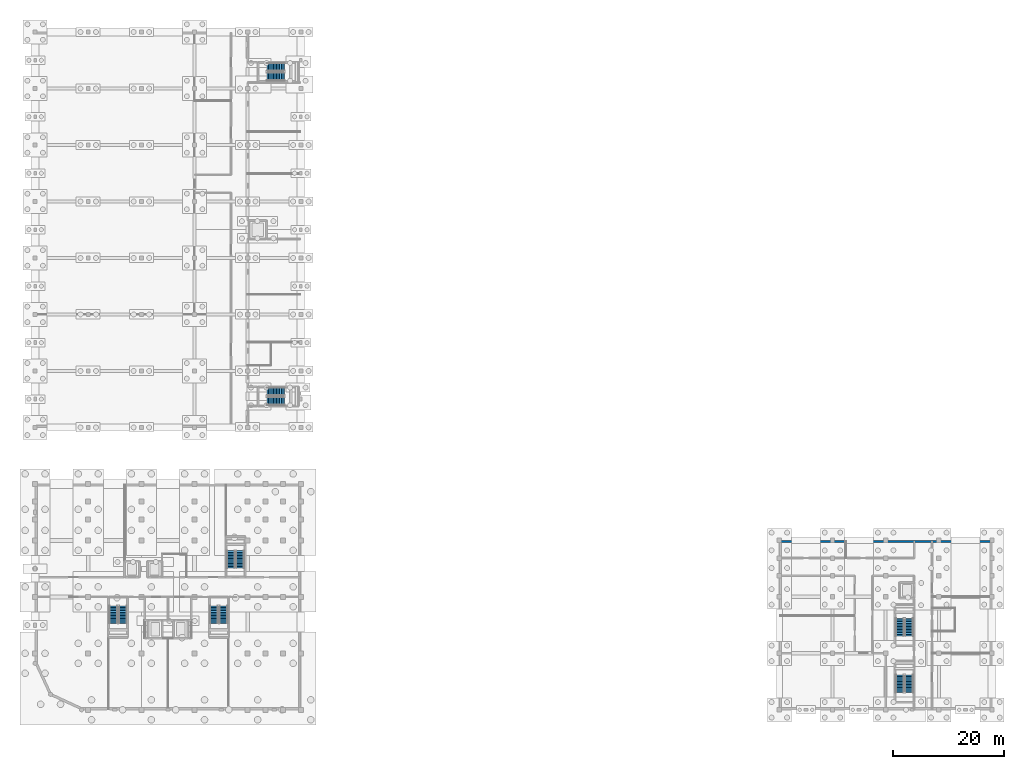
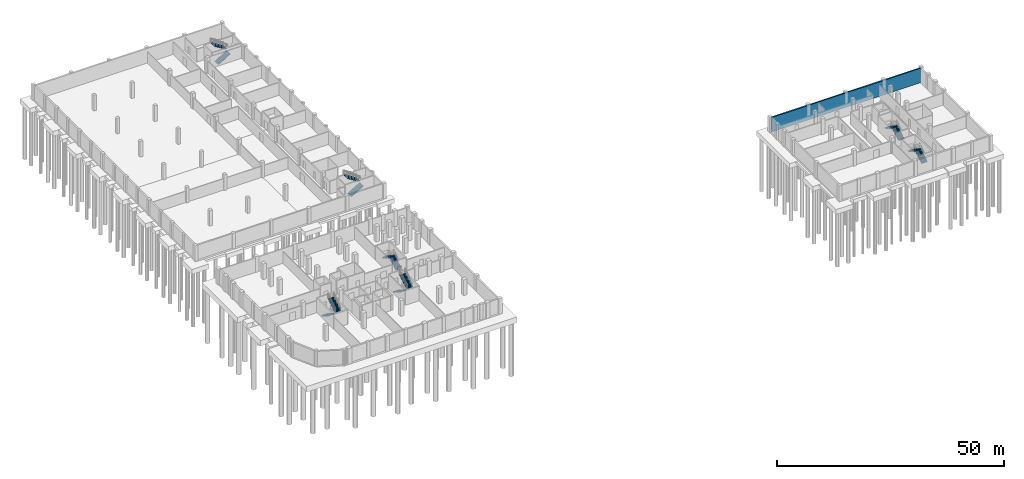
# One storey, part 13 of 18: 14 stair flights, 1 wall, 7 elements without a shape of their own.
"""IFC4 building model written with IfcOpenShell, lengths in metres."""

from ifc_helpers import new_model, si_unit, direction, frame, frame_2d, origin, place, context, subcontext, project, spatial, polyline, rectangle, outline, extrude, material, layer, layer_set, type_object, element, aggregate, save


model = new_model("IFC4")

# Units and contexts
model_context = context("Model", 3, precision=1e-05, world=origin(), true_north=direction((0.0, 1.0)))
body_context = subcontext(model_context, "Body", "Model", "MODEL_VIEW")
ifc_project = project(units=[si_unit("LENGTHUNIT", "METRE"), si_unit("AREAUNIT", "SQUARE_METRE"), si_unit("VOLUMEUNIT", "CUBIC_METRE"), si_unit("PLANEANGLEUNIT", "RADIAN"), si_unit("MASSUNIT", "GRAM", prefix="KILO")], contexts=[model_context])

# Site, building, storey
site_placement = place(None, origin())
site = spatial("IfcSite", under=ifc_project, at=site_placement, CompositionType="ELEMENT")
building_placement = place(site_placement, origin())
building = spatial("IfcBuilding", under=site, at=building_placement, Name="Vondelvale Polytechnic", CompositionType="ELEMENT")
storey_placement = place(building_placement, frame((0.0, 0.0, -4.199951171875)))
storey = spatial("IfcBuildingStorey", under=building, at=storey_placement, Name="B1", CompositionType="ELEMENT", Elevation=-4.199951171875)

# Wall
ifc_material = material(Name="Concrete N40 (f'c = 40 MPa)", Category="concrete")
ifc_layer = layer(ifc_material, 0.35009765625)
ifc_layer_set = layer_set([ifc_layer], Name="WL-RET-350")
wall_type = type_object("IfcWallType", Name="WL-RET-350", PredefinedType="USERDEFINED", material=ifc_layer_set)
wall_placement = place(storey_placement, frame((134.60009765625, 30.39990234375, 0.0), z_axis=(0.0, 0.0, 1.0), x_axis=(1.0, 0.0, 0.0)))
element("IfcWall", 1, at=wall_placement, inside=storey, type_object=wall_type, Name="Basement retaining wall V3-N", ObjectType="RETAININGWALL", PredefinedType="USERDEFINED", context=body_context, shape_type="SweptSolid", body=[
    extrude(rectangle(XDim=38.0, YDim=0.35009765625, at=frame_2d((19.0, 0.0))), origin(), (0.0, 0.0, 1.0), 3.89990234375),
])

# Stair, stair flights
stair_type = type_object("IfcStairType", Name="STR-DOG-1500", PredefinedType="HALF_TURN_STAIR", material=ifc_material)
stair_1_placement = place(storey_placement, origin())
stair_1 = element("IfcStair", 2, at=stair_1_placement, inside=storey, type_object=stair_type, Name="B1 ST-01", PredefinedType="HALF_TURN_STAIR")
stair_flight_type = type_object("IfcStairFlightType", Name="STF-DOG-1500", PredefinedType="STRAIGHT", material=ifc_material)
stair_flight_1_placement = place(storey_placement, frame((41.89990234375, 55.75, 0.0), z_axis=(0.0, 0.0, 1.0), x_axis=(1.0, 0.0, 0.0)))
stair_flight_1 = element("IfcStairFlight", 3, at=stair_flight_1_placement, type_object=stair_flight_type, Name="ST-01 flight 1", NumberOfRisers=12, NumberOfTreads=11, PredefinedType="STRAIGHT", RiserHeight=0.175, TreadLength=0.285, context=body_context, shape_type="SweptSolid", body=[
    extrude(outline(polyline([(0.0, 0.0), (0.0, 0.175048828125), (0.284912109375, 0.175048828125), (0.284912109375, 0.35009765625), (0.570068359375, 0.35009765625), (0.570068359375, 0.52490234375), (0.85498046875, 0.52490234375), (0.85498046875, 0.699951171875), (1.139892578125, 0.699951171875), (1.139892578125, 0.875), (1.425048828125, 0.875), (1.425048828125, 1.050048828125), (1.7099609375, 1.050048828125), (1.7099609375, 1.22509765625), (1.9951171875, 1.22509765625), (1.9951171875, 1.39990234375), (2.280029296875, 1.39990234375), (2.280029296875, 1.574951171875), (2.56494140625, 1.574951171875), (2.56494140625, 1.75), (2.85009765625, 1.75), (2.85009765625, 1.925048828125), (3.135009765625, 1.925048828125), (3.135009765625, 2.10009765625), (3.135009765625, 1.7373046875), (0.3056640625, 0.0), (0.0, 0.0)])), frame((0.0, 0.75, 0.0), z_axis=(0.0, -1.0, 0.0), x_axis=(1.0, 0.0, 0.0)), (0.0, 0.0, 1.0), 1.5),
])
stair_flight_2_placement = place(storey_placement, frame((45.034912109375, 57.449951171875, 2.099853515625), z_axis=(0.0, 0.0, 1.0), x_axis=(-1.0, 0.0, 0.0)))
stair_flight_2 = element("IfcStairFlight", 4, at=stair_flight_2_placement, type_object=stair_flight_type, Name="ST-01 flight 2", NumberOfRisers=12, NumberOfTreads=11, PredefinedType="STRAIGHT", RiserHeight=0.175, TreadLength=0.285, context=body_context, shape_type="SweptSolid", body=[
    extrude(outline(polyline([(0.0, 0.0), (0.0, 0.175048828125), (0.284912109375, 0.175048828125), (0.284912109375, 0.35009765625), (0.570068359375, 0.35009765625), (0.570068359375, 0.52490234375), (0.85498046875, 0.52490234375), (0.85498046875, 0.699951171875), (1.139892578125, 0.699951171875), (1.139892578125, 0.875), (1.425048828125, 0.875), (1.425048828125, 1.050048828125), (1.7099609375, 1.050048828125), (1.7099609375, 1.22509765625), (1.9951171875, 1.22509765625), (1.9951171875, 1.39990234375), (2.280029296875, 1.39990234375), (2.280029296875, 1.574951171875), (2.56494140625, 1.574951171875), (2.56494140625, 1.75), (2.85009765625, 1.75), (2.85009765625, 1.925048828125), (3.135009765625, 1.925048828125), (3.135009765625, 2.10009765625), (3.135009765625, 1.7373046875), (0.3056640625, 0.0), (0.0, 0.0)])), frame((0.0, 0.75, 0.0), z_axis=(0.0, -1.0, 0.0), x_axis=(1.0, 0.0, 0.0)), (0.0, 0.0, 1.0), 1.5),
])
aggregate(stair_1, [stair_flight_1, stair_flight_2])

stair_2_placement = place(storey_placement, origin())
stair_2 = element("IfcStair", 5, at=stair_2_placement, inside=storey, type_object=stair_type, Name="B1 ST-02", PredefinedType="HALF_TURN_STAIR")
stair_flight_3_placement = place(storey_placement, frame((41.89990234375, 114.35009765625, 0.0), z_axis=(0.0, 0.0, 1.0), x_axis=(1.0, 0.0, 0.0)))
stair_flight_3 = element("IfcStairFlight", 6, at=stair_flight_3_placement, type_object=stair_flight_type, Name="ST-02 flight 1", NumberOfRisers=12, NumberOfTreads=11, PredefinedType="STRAIGHT", RiserHeight=0.175, TreadLength=0.285, context=body_context, shape_type="SweptSolid", body=[
    extrude(outline(polyline([(0.0, 0.0), (0.0, 0.175048828125), (0.284912109375, 0.175048828125), (0.284912109375, 0.35009765625), (0.570068359375, 0.35009765625), (0.570068359375, 0.52490234375), (0.85498046875, 0.52490234375), (0.85498046875, 0.699951171875), (1.139892578125, 0.699951171875), (1.139892578125, 0.875), (1.425048828125, 0.875), (1.425048828125, 1.050048828125), (1.7099609375, 1.050048828125), (1.7099609375, 1.22509765625), (1.9951171875, 1.22509765625), (1.9951171875, 1.39990234375), (2.280029296875, 1.39990234375), (2.280029296875, 1.574951171875), (2.56494140625, 1.574951171875), (2.56494140625, 1.75), (2.85009765625, 1.75), (2.85009765625, 1.925048828125), (3.135009765625, 1.925048828125), (3.135009765625, 2.10009765625), (3.135009765625, 1.7373046875), (0.3056640625, 0.0), (0.0, 0.0)])), frame((0.0, 0.75, 0.0), z_axis=(0.0, -1.0, 0.0), x_axis=(1.0, 0.0, 0.0)), (0.0, 0.0, 1.0), 1.5),
])
stair_flight_4_placement = place(storey_placement, frame((45.034912109375, 116.050048828125, 2.099853515625), z_axis=(0.0, 0.0, 1.0), x_axis=(-1.0, 0.0, 0.0)))
stair_flight_4 = element("IfcStairFlight", 7, at=stair_flight_4_placement, type_object=stair_flight_type, Name="ST-02 flight 2", NumberOfRisers=12, NumberOfTreads=11, PredefinedType="STRAIGHT", RiserHeight=0.175, TreadLength=0.285, context=body_context, shape_type="SweptSolid", body=[
    extrude(outline(polyline([(0.0, 0.0), (0.0, 0.175048828125), (0.284912109375, 0.175048828125), (0.284912109375, 0.35009765625), (0.570068359375, 0.35009765625), (0.570068359375, 0.52490234375), (0.85498046875, 0.52490234375), (0.85498046875, 0.699951171875), (1.139892578125, 0.699951171875), (1.139892578125, 0.875), (1.425048828125, 0.875), (1.425048828125, 1.050048828125), (1.7099609375, 1.050048828125), (1.7099609375, 1.22509765625), (1.9951171875, 1.22509765625), (1.9951171875, 1.39990234375), (2.280029296875, 1.39990234375), (2.280029296875, 1.574951171875), (2.56494140625, 1.574951171875), (2.56494140625, 1.75), (2.85009765625, 1.75), (2.85009765625, 1.925048828125), (3.135009765625, 1.925048828125), (3.135009765625, 2.10009765625), (3.135009765625, 1.7373046875), (0.3056640625, 0.0), (0.0, 0.0)])), frame((0.0, 0.75, 0.0), z_axis=(0.0, -1.0, 0.0), x_axis=(1.0, 0.0, 0.0)), (0.0, 0.0, 1.0), 1.5),
])
aggregate(stair_2, [stair_flight_3, stair_flight_4])

stair_3_placement = place(storey_placement, origin())
stair_3 = element("IfcStair", 8, at=stair_3_placement, inside=storey, type_object=stair_type, Name="B1 ST-03", PredefinedType="HALF_TURN_STAIR")
stair_flight_5_placement = place(storey_placement, frame((14.14990234375, 18.75, 0.0), z_axis=(0.0, 0.0, 1.0), x_axis=(0.0, -1.0, 0.0)))
stair_flight_5 = element("IfcStairFlight", 9, at=stair_flight_5_placement, type_object=stair_flight_type, Name="ST-03 flight 1", NumberOfRisers=12, NumberOfTreads=11, PredefinedType="STRAIGHT", RiserHeight=0.175, TreadLength=0.285, context=body_context, shape_type="SweptSolid", body=[
    extrude(outline(polyline([(0.0, 0.0), (0.0, 0.175048828125), (0.284912109375, 0.175048828125), (0.284912109375, 0.35009765625), (0.570068359375, 0.35009765625), (0.570068359375, 0.52490234375), (0.85498046875, 0.52490234375), (0.85498046875, 0.699951171875), (1.139892578125, 0.699951171875), (1.139892578125, 0.875), (1.425048828125, 0.875), (1.425048828125, 1.050048828125), (1.7099609375, 1.050048828125), (1.7099609375, 1.22509765625), (1.9951171875, 1.22509765625), (1.9951171875, 1.39990234375), (2.280029296875, 1.39990234375), (2.280029296875, 1.574951171875), (2.56494140625, 1.574951171875), (2.56494140625, 1.75), (2.85009765625, 1.75), (2.85009765625, 1.925048828125), (3.135009765625, 1.925048828125), (3.135009765625, 2.10009765625), (3.135009765625, 1.7373046875), (0.3056640625, 0.0), (0.0, 0.0)])), frame((0.0, 0.75, 0.0), z_axis=(0.0, -1.0, 0.0), x_axis=(1.0, 0.0, 0.0)), (0.0, 0.0, 1.0), 1.5),
])
stair_flight_6_placement = place(storey_placement, frame((15.85009765625, 15.614990234375, 2.099853515625), z_axis=(0.0, 0.0, 1.0), x_axis=(0.0, 1.0, 0.0)))
stair_flight_6 = element("IfcStairFlight", 10, at=stair_flight_6_placement, type_object=stair_flight_type, Name="ST-03 flight 2", NumberOfRisers=12, NumberOfTreads=11, PredefinedType="STRAIGHT", RiserHeight=0.175, TreadLength=0.285, context=body_context, shape_type="SweptSolid", body=[
    extrude(outline(polyline([(0.0, 0.0), (0.0, 0.175048828125), (0.284912109375, 0.175048828125), (0.284912109375, 0.35009765625), (0.570068359375, 0.35009765625), (0.570068359375, 0.52490234375), (0.85498046875, 0.52490234375), (0.85498046875, 0.699951171875), (1.139892578125, 0.699951171875), (1.139892578125, 0.875), (1.425048828125, 0.875), (1.425048828125, 1.050048828125), (1.7099609375, 1.050048828125), (1.7099609375, 1.22509765625), (1.9951171875, 1.22509765625), (1.9951171875, 1.39990234375), (2.280029296875, 1.39990234375), (2.280029296875, 1.574951171875), (2.56494140625, 1.574951171875), (2.56494140625, 1.75), (2.85009765625, 1.75), (2.85009765625, 1.925048828125), (3.135009765625, 1.925048828125), (3.135009765625, 2.10009765625), (3.135009765625, 1.7373046875), (0.3056640625, 0.0), (0.0, 0.0)])), frame((0.0, 0.75, 0.0), z_axis=(0.0, -1.0, 0.0), x_axis=(1.0, 0.0, 0.0)), (0.0, 0.0, 1.0), 1.5),
])
aggregate(stair_3, [stair_flight_5, stair_flight_6])

stair_4_placement = place(storey_placement, origin())
stair_4 = element("IfcStair", 11, at=stair_4_placement, inside=storey, type_object=stair_type, Name="B1 ST-04", PredefinedType="HALF_TURN_STAIR")
stair_flight_7_placement = place(storey_placement, frame((32.35009765625, 18.75, 0.0), z_axis=(0.0, 0.0, 1.0), x_axis=(0.0, -1.0, 0.0)))
stair_flight_7 = element("IfcStairFlight", 12, at=stair_flight_7_placement, type_object=stair_flight_type, Name="ST-04 flight 1", NumberOfRisers=12, NumberOfTreads=11, PredefinedType="STRAIGHT", RiserHeight=0.175, TreadLength=0.285, context=body_context, shape_type="SweptSolid", body=[
    extrude(outline(polyline([(0.0, 0.0), (0.0, 0.175048828125), (0.284912109375, 0.175048828125), (0.284912109375, 0.35009765625), (0.570068359375, 0.35009765625), (0.570068359375, 0.52490234375), (0.85498046875, 0.52490234375), (0.85498046875, 0.699951171875), (1.139892578125, 0.699951171875), (1.139892578125, 0.875), (1.425048828125, 0.875), (1.425048828125, 1.050048828125), (1.7099609375, 1.050048828125), (1.7099609375, 1.22509765625), (1.9951171875, 1.22509765625), (1.9951171875, 1.39990234375), (2.280029296875, 1.39990234375), (2.280029296875, 1.574951171875), (2.56494140625, 1.574951171875), (2.56494140625, 1.75), (2.85009765625, 1.75), (2.85009765625, 1.925048828125), (3.135009765625, 1.925048828125), (3.135009765625, 2.10009765625), (3.135009765625, 1.7373046875), (0.3056640625, 0.0), (0.0, 0.0)])), frame((0.0, 0.75, 0.0), z_axis=(0.0, -1.0, 0.0), x_axis=(1.0, 0.0, 0.0)), (0.0, 0.0, 1.0), 1.5),
])
stair_flight_8_placement = place(storey_placement, frame((34.050048828125, 15.614990234375, 2.099853515625), z_axis=(0.0, 0.0, 1.0), x_axis=(0.0, 1.0, 0.0)))
stair_flight_8 = element("IfcStairFlight", 13, at=stair_flight_8_placement, type_object=stair_flight_type, Name="ST-04 flight 2", NumberOfRisers=12, NumberOfTreads=11, PredefinedType="STRAIGHT", RiserHeight=0.175, TreadLength=0.285, context=body_context, shape_type="SweptSolid", body=[
    extrude(outline(polyline([(0.0, 0.0), (0.0, 0.175048828125), (0.284912109375, 0.175048828125), (0.284912109375, 0.35009765625), (0.570068359375, 0.35009765625), (0.570068359375, 0.52490234375), (0.85498046875, 0.52490234375), (0.85498046875, 0.699951171875), (1.139892578125, 0.699951171875), (1.139892578125, 0.875), (1.425048828125, 0.875), (1.425048828125, 1.050048828125), (1.7099609375, 1.050048828125), (1.7099609375, 1.22509765625), (1.9951171875, 1.22509765625), (1.9951171875, 1.39990234375), (2.280029296875, 1.39990234375), (2.280029296875, 1.574951171875), (2.56494140625, 1.574951171875), (2.56494140625, 1.75), (2.85009765625, 1.75), (2.85009765625, 1.925048828125), (3.135009765625, 1.925048828125), (3.135009765625, 2.10009765625), (3.135009765625, 1.7373046875), (0.3056640625, 0.0), (0.0, 0.0)])), frame((0.0, 0.75, 0.0), z_axis=(0.0, -1.0, 0.0), x_axis=(1.0, 0.0, 0.0)), (0.0, 0.0, 1.0), 1.5),
])
aggregate(stair_4, [stair_flight_7, stair_flight_8])

stair_5_placement = place(storey_placement, origin())
stair_5 = element("IfcStair", 14, at=stair_5_placement, inside=storey, type_object=stair_type, Name="B1 ST-05", PredefinedType="HALF_TURN_STAIR")
stair_flight_9_placement = place(storey_placement, frame((37.050048828125, 25.60009765625, 0.0), z_axis=(0.0, 0.0, 1.0), x_axis=(0.0, 1.0, 0.0)))
stair_flight_9 = element("IfcStairFlight", 15, at=stair_flight_9_placement, type_object=stair_flight_type, Name="ST-05 flight 1", NumberOfRisers=12, NumberOfTreads=11, PredefinedType="STRAIGHT", RiserHeight=0.175, TreadLength=0.285, context=body_context, shape_type="SweptSolid", body=[
    extrude(outline(polyline([(0.0, 0.0), (0.0, 0.175048828125), (0.284912109375, 0.175048828125), (0.284912109375, 0.35009765625), (0.570068359375, 0.35009765625), (0.570068359375, 0.52490234375), (0.85498046875, 0.52490234375), (0.85498046875, 0.699951171875), (1.139892578125, 0.699951171875), (1.139892578125, 0.875), (1.425048828125, 0.875), (1.425048828125, 1.050048828125), (1.7099609375, 1.050048828125), (1.7099609375, 1.22509765625), (1.9951171875, 1.22509765625), (1.9951171875, 1.39990234375), (2.280029296875, 1.39990234375), (2.280029296875, 1.574951171875), (2.56494140625, 1.574951171875), (2.56494140625, 1.75), (2.85009765625, 1.75), (2.85009765625, 1.925048828125), (3.135009765625, 1.925048828125), (3.135009765625, 2.10009765625), (3.135009765625, 1.7373046875), (0.3056640625, 0.0), (0.0, 0.0)])), frame((0.0, 0.75, 0.0), z_axis=(0.0, -1.0, 0.0), x_axis=(1.0, 0.0, 0.0)), (0.0, 0.0, 1.0), 1.5),
])
stair_flight_10_placement = place(storey_placement, frame((35.35009765625, 28.735107421875, 2.099853515625), z_axis=(0.0, 0.0, 1.0), x_axis=(0.0, -1.0, 0.0)))
stair_flight_10 = element("IfcStairFlight", 16, at=stair_flight_10_placement, type_object=stair_flight_type, Name="ST-05 flight 2", NumberOfRisers=12, NumberOfTreads=11, PredefinedType="STRAIGHT", RiserHeight=0.175, TreadLength=0.285, context=body_context, shape_type="SweptSolid", body=[
    extrude(outline(polyline([(0.0, 0.0), (0.0, 0.175048828125), (0.284912109375, 0.175048828125), (0.284912109375, 0.35009765625), (0.570068359375, 0.35009765625), (0.570068359375, 0.52490234375), (0.85498046875, 0.52490234375), (0.85498046875, 0.699951171875), (1.139892578125, 0.699951171875), (1.139892578125, 0.875), (1.425048828125, 0.875), (1.425048828125, 1.050048828125), (1.7099609375, 1.050048828125), (1.7099609375, 1.22509765625), (1.9951171875, 1.22509765625), (1.9951171875, 1.39990234375), (2.280029296875, 1.39990234375), (2.280029296875, 1.574951171875), (2.56494140625, 1.574951171875), (2.56494140625, 1.75), (2.85009765625, 1.75), (2.85009765625, 1.925048828125), (3.135009765625, 1.925048828125), (3.135009765625, 2.10009765625), (3.135009765625, 1.7373046875), (0.3056640625, 0.0), (0.0, 0.0)])), frame((0.0, 0.75, 0.0), z_axis=(0.0, -1.0, 0.0), x_axis=(1.0, 0.0, 0.0)), (0.0, 0.0, 1.0), 1.5),
])
aggregate(stair_5, [stair_flight_9, stair_flight_10])

stair_6_placement = place(storey_placement, origin())
stair_6 = element("IfcStair", 17, at=stair_6_placement, inside=storey, type_object=stair_type, Name="B1 ST-06", PredefinedType="HALF_TURN_STAIR")
stair_flight_11_placement = place(storey_placement, frame((157.85009765625, 3.14990234375, 0.0), z_axis=(0.0, 0.0, 1.0), x_axis=(0.0, 1.0, 0.0)))
stair_flight_11 = element("IfcStairFlight", 18, at=stair_flight_11_placement, type_object=stair_flight_type, Name="ST-06 flight 1", NumberOfRisers=12, NumberOfTreads=11, PredefinedType="STRAIGHT", RiserHeight=0.175, TreadLength=0.285, context=body_context, shape_type="SweptSolid", body=[
    extrude(outline(polyline([(0.0, 0.0), (0.0, 0.175048828125), (0.284912109375, 0.175048828125), (0.284912109375, 0.35009765625), (0.570068359375, 0.35009765625), (0.570068359375, 0.52490234375), (0.85498046875, 0.52490234375), (0.85498046875, 0.699951171875), (1.139892578125, 0.699951171875), (1.139892578125, 0.875), (1.425048828125, 0.875), (1.425048828125, 1.050048828125), (1.7099609375, 1.050048828125), (1.7099609375, 1.22509765625), (1.9951171875, 1.22509765625), (1.9951171875, 1.39990234375), (2.280029296875, 1.39990234375), (2.280029296875, 1.574951171875), (2.56494140625, 1.574951171875), (2.56494140625, 1.75), (2.85009765625, 1.75), (2.85009765625, 1.925048828125), (3.135009765625, 1.925048828125), (3.135009765625, 2.10009765625), (3.135009765625, 1.7373046875), (0.3056640625, 0.0), (0.0, 0.0)])), frame((0.0, 0.75, 0.0), z_axis=(0.0, -1.0, 0.0), x_axis=(1.0, 0.0, 0.0)), (0.0, 0.0, 1.0), 1.5),
])
stair_flight_12_placement = place(storey_placement, frame((156.14990234375, 6.284912109375, 2.099853515625), z_axis=(0.0, 0.0, 1.0), x_axis=(0.0, -1.0, 0.0)))
stair_flight_12 = element("IfcStairFlight", 19, at=stair_flight_12_placement, type_object=stair_flight_type, Name="ST-06 flight 2", NumberOfRisers=12, NumberOfTreads=11, PredefinedType="STRAIGHT", RiserHeight=0.175, TreadLength=0.285, context=body_context, shape_type="SweptSolid", body=[
    extrude(outline(polyline([(0.0, 0.0), (0.0, 0.175048828125), (0.284912109375, 0.175048828125), (0.284912109375, 0.35009765625), (0.570068359375, 0.35009765625), (0.570068359375, 0.52490234375), (0.85498046875, 0.52490234375), (0.85498046875, 0.699951171875), (1.139892578125, 0.699951171875), (1.139892578125, 0.875), (1.425048828125, 0.875), (1.425048828125, 1.050048828125), (1.7099609375, 1.050048828125), (1.7099609375, 1.22509765625), (1.9951171875, 1.22509765625), (1.9951171875, 1.39990234375), (2.280029296875, 1.39990234375), (2.280029296875, 1.574951171875), (2.56494140625, 1.574951171875), (2.56494140625, 1.75), (2.85009765625, 1.75), (2.85009765625, 1.925048828125), (3.135009765625, 1.925048828125), (3.135009765625, 2.10009765625), (3.135009765625, 1.7373046875), (0.3056640625, 0.0), (0.0, 0.0)])), frame((0.0, 0.75, 0.0), z_axis=(0.0, -1.0, 0.0), x_axis=(1.0, 0.0, 0.0)), (0.0, 0.0, 1.0), 1.5),
])
aggregate(stair_6, [stair_flight_11, stair_flight_12])

stair_7_placement = place(storey_placement, origin())
stair_7 = element("IfcStair", 20, at=stair_7_placement, inside=storey, type_object=stair_type, Name="B1 ST-07", PredefinedType="HALF_TURN_STAIR")
stair_flight_13_placement = place(storey_placement, frame((157.85009765625, 13.35009765625, 0.0), z_axis=(0.0, 0.0, 1.0), x_axis=(0.0, 1.0, 0.0)))
stair_flight_13 = element("IfcStairFlight", 21, at=stair_flight_13_placement, type_object=stair_flight_type, Name="ST-07 flight 1", NumberOfRisers=12, NumberOfTreads=11, PredefinedType="STRAIGHT", RiserHeight=0.175, TreadLength=0.285, context=body_context, shape_type="SweptSolid", body=[
    extrude(outline(polyline([(0.0, 0.0), (0.0, 0.175048828125), (0.284912109375, 0.175048828125), (0.284912109375, 0.35009765625), (0.570068359375, 0.35009765625), (0.570068359375, 0.52490234375), (0.85498046875, 0.52490234375), (0.85498046875, 0.699951171875), (1.139892578125, 0.699951171875), (1.139892578125, 0.875), (1.425048828125, 0.875), (1.425048828125, 1.050048828125), (1.7099609375, 1.050048828125), (1.7099609375, 1.22509765625), (1.9951171875, 1.22509765625), (1.9951171875, 1.39990234375), (2.280029296875, 1.39990234375), (2.280029296875, 1.574951171875), (2.56494140625, 1.574951171875), (2.56494140625, 1.75), (2.85009765625, 1.75), (2.85009765625, 1.925048828125), (3.135009765625, 1.925048828125), (3.135009765625, 2.10009765625), (3.135009765625, 1.7373046875), (0.3056640625, 0.0), (0.0, 0.0)])), frame((0.0, 0.75, 0.0), z_axis=(0.0, -1.0, 0.0), x_axis=(1.0, 0.0, 0.0)), (0.0, 0.0, 1.0), 1.5),
])
stair_flight_14_placement = place(storey_placement, frame((156.14990234375, 16.485107421875, 2.099853515625), z_axis=(0.0, 0.0, 1.0), x_axis=(0.0, -1.0, 0.0)))
stair_flight_14 = element("IfcStairFlight", 22, at=stair_flight_14_placement, type_object=stair_flight_type, Name="ST-07 flight 2", NumberOfRisers=12, NumberOfTreads=11, PredefinedType="STRAIGHT", RiserHeight=0.175, TreadLength=0.285, context=body_context, shape_type="SweptSolid", body=[
    extrude(outline(polyline([(0.0, 0.0), (0.0, 0.175048828125), (0.284912109375, 0.175048828125), (0.284912109375, 0.35009765625), (0.570068359375, 0.35009765625), (0.570068359375, 0.52490234375), (0.85498046875, 0.52490234375), (0.85498046875, 0.699951171875), (1.139892578125, 0.699951171875), (1.139892578125, 0.875), (1.425048828125, 0.875), (1.425048828125, 1.050048828125), (1.7099609375, 1.050048828125), (1.7099609375, 1.22509765625), (1.9951171875, 1.22509765625), (1.9951171875, 1.39990234375), (2.280029296875, 1.39990234375), (2.280029296875, 1.574951171875), (2.56494140625, 1.574951171875), (2.56494140625, 1.75), (2.85009765625, 1.75), (2.85009765625, 1.925048828125), (3.135009765625, 1.925048828125), (3.135009765625, 2.10009765625), (3.135009765625, 1.7373046875), (0.3056640625, 0.0), (0.0, 0.0)])), frame((0.0, 0.75, 0.0), z_axis=(0.0, -1.0, 0.0), x_axis=(1.0, 0.0, 0.0)), (0.0, 0.0, 1.0), 1.5),
])
aggregate(stair_7, [stair_flight_13, stair_flight_14])

save(model, "model.ifc")
